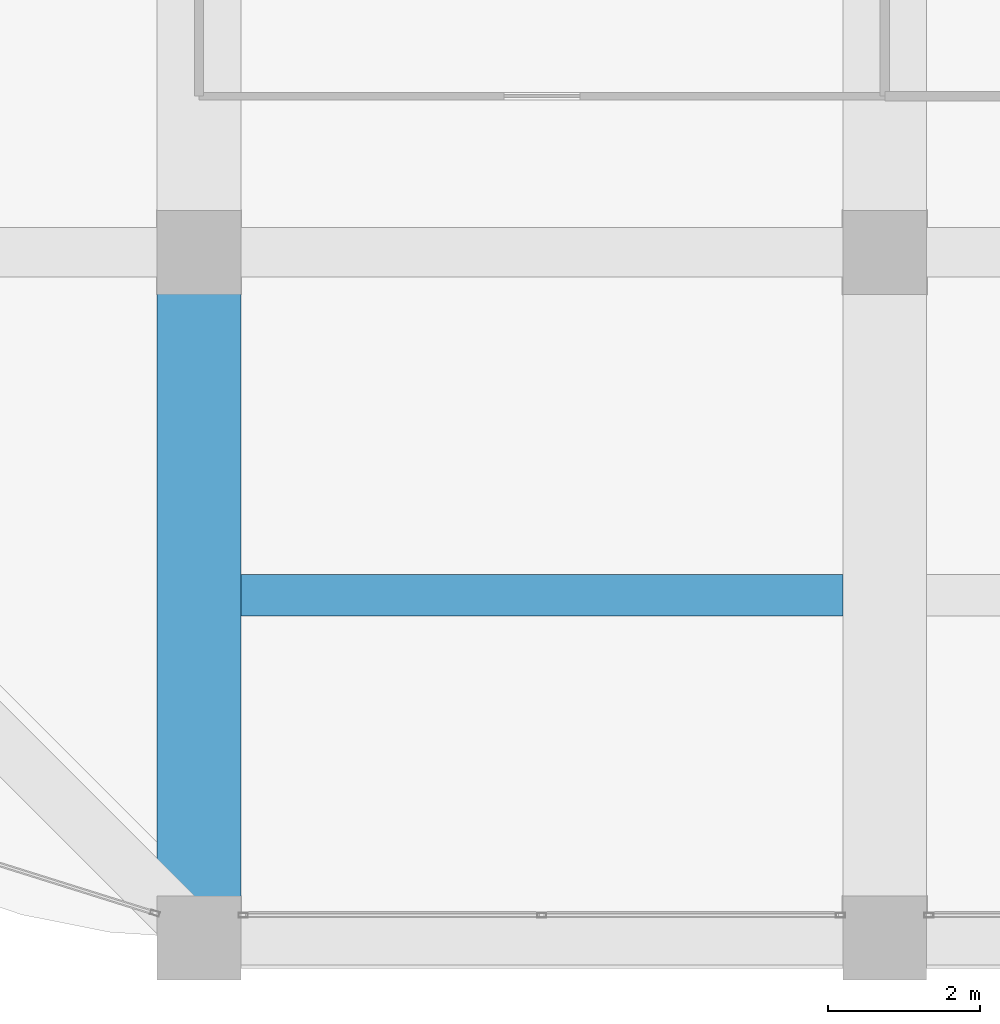
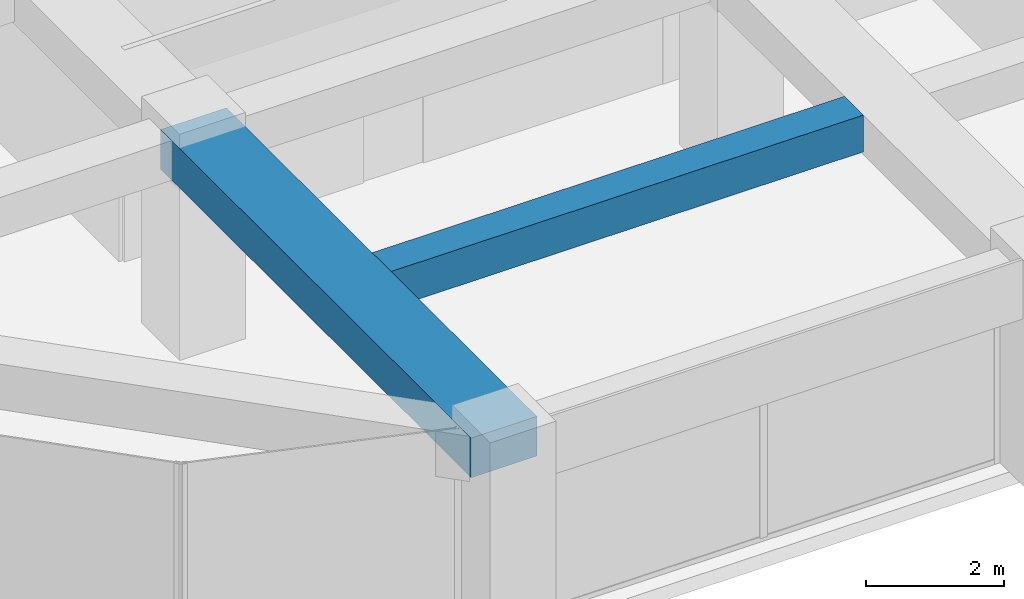
# One storey, part 5 of 44: 2 beams.
"""IFC4 building model written with IfcOpenShell, lengths in metres."""

from ifc_helpers import new_model, si_unit, direction, frame, origin, origin_2d, place, context, subcontext, project, spatial, rectangle, extrude, material, material_profile, profile_set, type_object, element, save


model = new_model("IFC4")

# Units and contexts
model_context = context("Model", 3, precision=1e-05, world=origin(), true_north=direction((0.0, 1.0)))
body_context = subcontext(model_context, "Body", "Model", "MODEL_VIEW")
ifc_project = project(units=[si_unit("LENGTHUNIT", "METRE"), si_unit("AREAUNIT", "SQUARE_METRE"), si_unit("VOLUMEUNIT", "CUBIC_METRE"), si_unit("PLANEANGLEUNIT", "RADIAN"), si_unit("MASSUNIT", "GRAM", prefix="KILO")], contexts=[model_context])

# Site, building, storey
site_placement = place(None, origin())
site = spatial("IfcSite", under=ifc_project, at=site_placement, CompositionType="ELEMENT")
building_placement = place(site_placement, origin())
building = spatial("IfcBuilding", under=site, at=building_placement, Name="Zorevar Civic Tower", CompositionType="ELEMENT")
storey_placement = place(building_placement, frame((0.0, 0.0, 255.39990234375)))
storey = spatial("IfcBuildingStorey", under=building, at=storey_placement, Name="L62", CompositionType="ELEMENT", Elevation=255.39990234375)

# Beams
ifc_material_1 = material(Name="Concrete C50/60", Category="concrete")
ifc_material_profile_1 = material_profile(ifc_material_1, rectangle(XDim=1.10009765625, YDim=0.699951171875, at=origin_2d()), Name="RC 1100x700")
ifc_profile_set_1 = profile_set([ifc_material_profile_1], Name="Concrete C50/60")
beam_type_1 = type_object("IfcBeamType", Name="Beam RC 1100x700", PredefinedType="BEAM", material=ifc_profile_set_1)
beam_1_placement = place(storey_placement, frame((18.0, 0.0, 3.400146484375), z_axis=(0.0, 1.0, 0.0), x_axis=(-1.0, 0.0, 0.0)))
element("IfcBeam", 1, at=beam_1_placement, inside=storey, type_object=beam_type_1, Name="Girder L63", PredefinedType="BEAM", context=body_context, shape_type="SweptSolid", body=[
    extrude(rectangle(XDim=1.10009765625, YDim=0.699951171875, at=origin_2d()), origin(), (0.0, 0.0, 1.0), 9.0),
])
ifc_material_2 = material(Name="Concrete C50/60", Category="concrete")
ifc_material_profile_2 = material_profile(ifc_material_2, rectangle(XDim=0.550048828125, YDim=0.64990234375, at=origin_2d()), Name="RC 550x650")
ifc_profile_set_2 = profile_set([ifc_material_profile_2], Name="Concrete C50/60")
beam_type_2 = type_object("IfcBeamType", Name="Beam RC 550x650", PredefinedType="BEAM", material=ifc_profile_set_2)
beam_2_placement = place(storey_placement, frame((18.550048828125, 4.5, 3.425048828125), z_axis=(1.0, 0.0, 0.0), x_axis=(0.0, 1.0, 0.0)))
element("IfcBeam", 2, at=beam_2_placement, inside=storey, type_object=beam_type_2, Name="Secondary beam L63", PredefinedType="BEAM", context=body_context, shape_type="SweptSolid", body=[
    extrude(rectangle(XDim=0.550048828125, YDim=0.64990234375, at=origin_2d()), origin(), (0.0, 0.0, 1.0), 7.89990234375),
])

save(model, "model.ifc")
